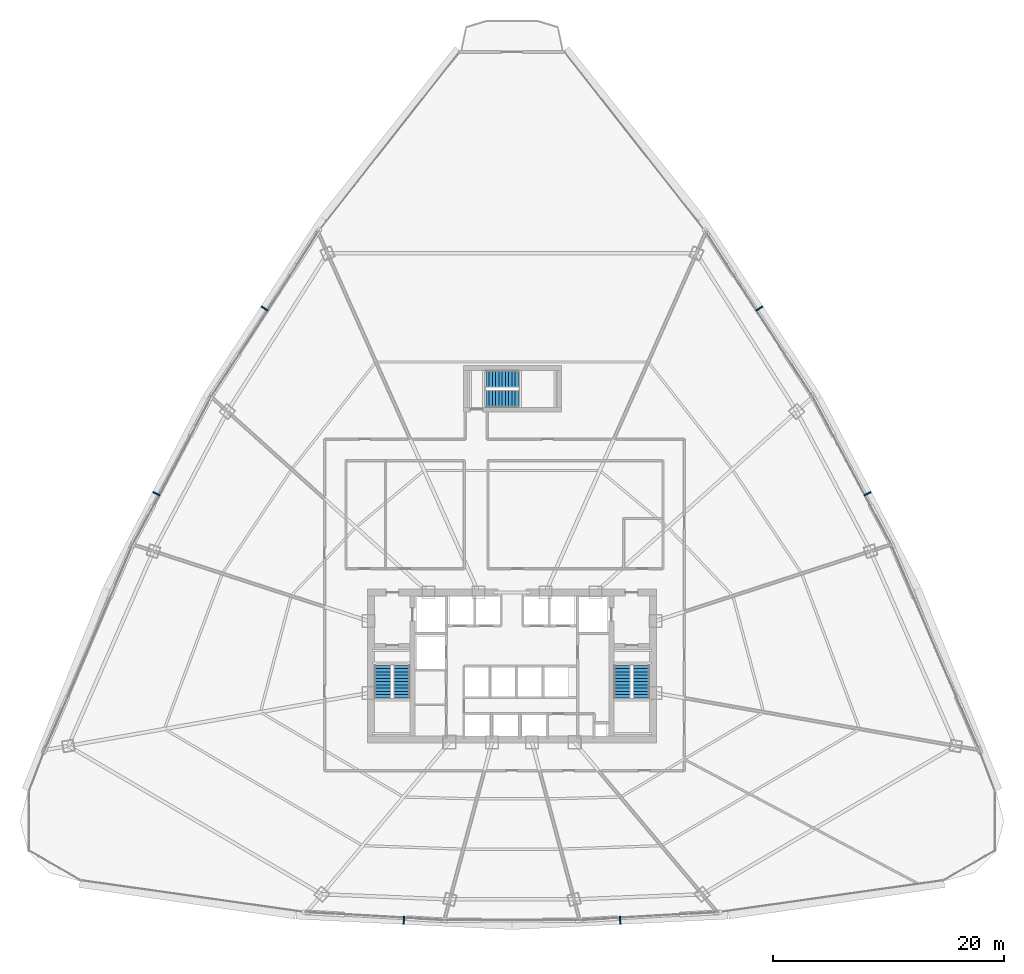
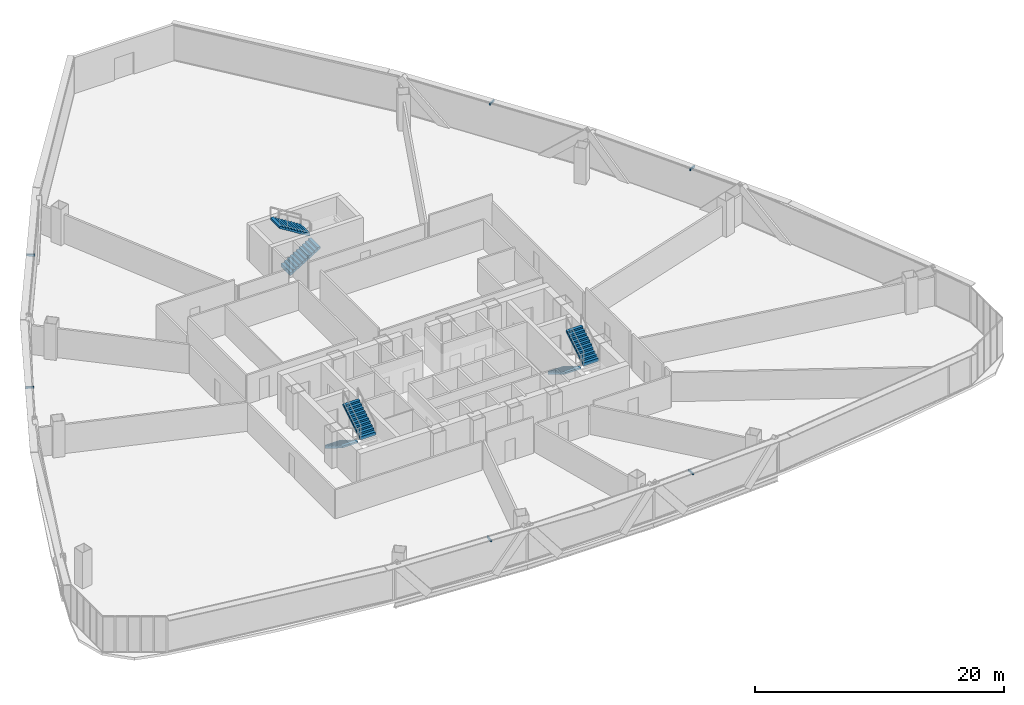
# One storey, part 35 of 39: 6 discrete accessories, 6 stair flights, 3 elements without a shape of their own.
"""IFC4 building model written with IfcOpenShell, lengths in metres."""

from ifc_helpers import new_model, si_unit, direction, frame, origin, origin_2d, place, context, subcontext, project, spatial, polyline, rectangle, outline, extrude, source, transform, mapped, material, type_object, element, aggregate, save


model = new_model("IFC4")

# Units and contexts
model_context = context("Model", 3, precision=1e-05, world=origin(), true_north=direction((0.0, 1.0)))
body_context = subcontext(model_context, "Body", "Model", "MODEL_VIEW")
ifc_project = project(units=[si_unit("LENGTHUNIT", "METRE"), si_unit("AREAUNIT", "SQUARE_METRE"), si_unit("VOLUMEUNIT", "CUBIC_METRE"), si_unit("PLANEANGLEUNIT", "RADIAN"), si_unit("MASSUNIT", "GRAM", prefix="KILO"), si_unit("THERMODYNAMICTEMPERATUREUNIT", "KELVIN"), si_unit("POWERUNIT", "WATT")], contexts=[model_context])

# Site, building, storey
site_placement = place(None, origin())
site = spatial("IfcSite", under=ifc_project, at=site_placement, CompositionType="ELEMENT")
building_placement = place(site_placement, origin())
building = spatial("IfcBuilding", under=site, at=building_placement, Name="Yunzhuo Pagoda Commons", CompositionType="ELEMENT")
storey_placement = place(building_placement, frame((0.0, 0.0, 92.580078125)))
storey = spatial("IfcBuildingStorey", under=building, at=storey_placement, Name="L23", CompositionType="ELEMENT", Elevation=92.580078125)

# Stair, stair flights
ifc_material_1 = material(Name="Concrete C40", Category="concrete")
stair_type_1 = type_object("IfcStairType", Name="ST-C1 Core Smokeproof Stair ST1", PredefinedType="HALF_TURN_STAIR", material=ifc_material_1)
stair_1_placement = place(storey_placement, origin())
stair_1 = element("IfcStair", 1, at=stair_1_placement, inside=storey, type_object=stair_type_1, Name="L23 Core smokeproof stair ST1", PredefinedType="HALF_TURN_STAIR")
stair_flight_type_1 = type_object("IfcStairFlightType", Name="STF-C1 Core Stair Flight 1450", PredefinedType="STRAIGHT", material=ifc_material_1)
shared_shape_1 = source(origin(), body_context, "Body", "SweptSolid", [
    extrude(outline(polyline([(0.0, -0.14990234375), (0.0, 0.0), (0.0, 0.172607421875), (0.280029296875, 0.172607421875), (0.280029296875, 0.345458984375), (0.56005859375, 0.345458984375), (0.56005859375, 0.51806640625), (0.840087890625, 0.51806640625), (0.840087890625, 0.69091796875), (1.1201171875, 0.69091796875), (1.1201171875, 0.863525390625), (1.39990234375, 0.863525390625), (1.39990234375, 1.036376953125), (1.679931640625, 1.036376953125), (1.679931640625, 1.208984375), (1.9599609375, 1.208984375), (1.9599609375, 1.3818359375), (2.239990234375, 1.3818359375), (2.239990234375, 1.554443359375), (2.52001953125, 1.554443359375), (2.52001953125, 1.727294921875), (2.800048828125, 1.727294921875), (2.800048828125, 1.89990234375), (2.800048828125, 1.551025390625), (0.285400390625, 0.0), (0.050048828125, -0.14990234375), (0.0, -0.14990234375)])), frame((0.0, 0.72509765625, 0.0), z_axis=(0.0, -1.0, 0.0), x_axis=(1.0, 0.0, 0.0)), (0.0, 0.0, 1.0), 1.449951171875),
])
stair_flight_1_placement = place(storey_placement, frame((36.824951171875, 33.89990234375, 0.0), z_axis=(0.0, 0.0, 1.0), x_axis=(0.0, -1.0, 0.0)))
stair_flight_1 = element("IfcStairFlight", 2, at=stair_flight_1_placement, type_object=stair_flight_type_1, Name="ST1 flight 1", NumberOfRisers=11, NumberOfTreads=10, PredefinedType="STRAIGHT", RiserHeight=0.172727273, TreadLength=0.28, context=body_context, shape_type="MappedRepresentation", body=[
    mapped(shared_shape_1, transform((0.0, 0.0, 0.0), scale=1.0)),
])
stair_flight_2_placement = place(storey_placement, frame((38.47509765625, 31.10009765625, 1.89990234375), z_axis=(0.0, 0.0, 1.0), x_axis=(0.0, 1.0, 0.0)))
stair_flight_2 = element("IfcStairFlight", 3, at=stair_flight_2_placement, type_object=stair_flight_type_1, Name="ST1 flight 2", NumberOfRisers=11, NumberOfTreads=10, PredefinedType="STRAIGHT", RiserHeight=0.172727273, TreadLength=0.28, context=body_context, shape_type="MappedRepresentation", body=[
    mapped(shared_shape_1, transform((0.0, 0.0, 0.0), scale=1.0)),
])
aggregate(stair_1, [stair_flight_1, stair_flight_2])

stair_type_2 = type_object("IfcStairType", Name="ST-C2 Core Smokeproof Stair ST2", PredefinedType="HALF_TURN_STAIR", material=ifc_material_1)
stair_2_placement = place(storey_placement, origin())
stair_2 = element("IfcStair", 4, at=stair_2_placement, inside=storey, type_object=stair_type_2, Name="L23 Core smokeproof stair ST2", PredefinedType="HALF_TURN_STAIR")
stair_flight_type_2 = type_object("IfcStairFlightType", Name="STF-C2 Core Stair Flight 1460", PredefinedType="STRAIGHT", material=ifc_material_1)
stair_flight_3_placement = place(storey_placement, frame((57.52490234375, 33.89990234375, 0.0), z_axis=(0.0, 0.0, 1.0), x_axis=(0.0, -1.0, 0.0)))
stair_flight_3 = element("IfcStairFlight", 5, at=stair_flight_3_placement, type_object=stair_flight_type_2, Name="ST2 flight 1", NumberOfRisers=11, NumberOfTreads=10, PredefinedType="STRAIGHT", RiserHeight=0.172727273, TreadLength=0.28, context=body_context, shape_type="MappedRepresentation", body=[
    mapped(shared_shape_1, transform((0.0, 0.0, 0.0), scale=1.0)),
])
stair_flight_4_placement = place(storey_placement, frame((59.175048828125, 31.10009765625, 1.89990234375), z_axis=(0.0, 0.0, 1.0), x_axis=(0.0, 1.0, 0.0)))
stair_flight_4 = element("IfcStairFlight", 6, at=stair_flight_4_placement, type_object=stair_flight_type_2, Name="ST2 flight 2", NumberOfRisers=11, NumberOfTreads=10, PredefinedType="STRAIGHT", RiserHeight=0.172727273, TreadLength=0.28, context=body_context, shape_type="MappedRepresentation", body=[
    mapped(shared_shape_1, transform((0.0, 0.0, 0.0), scale=1.0)),
])
aggregate(stair_2, [stair_flight_3, stair_flight_4])

stair_type_3 = type_object("IfcStairType", Name="ST-C3 North Tower Smokeproof Stair ST3", PredefinedType="HALF_TURN_STAIR", material=ifc_material_1)
stair_3_placement = place(storey_placement, origin())
stair_3 = element("IfcStair", 7, at=stair_3_placement, inside=storey, type_object=stair_type_3, Name="L23 North tower smokeproof stair ST3", PredefinedType="HALF_TURN_STAIR")
stair_flight_type_3 = type_object("IfcStairFlightType", Name="STF-C3 North Stair Flight 1500", PredefinedType="STRAIGHT", material=ifc_material_1)
shared_shape_2 = source(origin(), body_context, "Body", "SweptSolid", [
    extrude(outline(polyline([(0.0, -0.14990234375), (0.0, 0.0), (0.0, 0.172607421875), (0.280029296875, 0.172607421875), (0.280029296875, 0.345458984375), (0.56005859375, 0.345458984375), (0.56005859375, 0.51806640625), (0.840087890625, 0.51806640625), (0.840087890625, 0.69091796875), (1.1201171875, 0.69091796875), (1.1201171875, 0.863525390625), (1.39990234375, 0.863525390625), (1.39990234375, 1.036376953125), (1.679931640625, 1.036376953125), (1.679931640625, 1.208984375), (1.9599609375, 1.208984375), (1.9599609375, 1.3818359375), (2.239990234375, 1.3818359375), (2.239990234375, 1.554443359375), (2.52001953125, 1.554443359375), (2.52001953125, 1.727294921875), (2.800048828125, 1.727294921875), (2.800048828125, 1.89990234375), (2.800048828125, 1.551025390625), (0.285400390625, 0.0), (0.050048828125, -0.14990234375), (0.0, -0.14990234375)])), frame((0.0, 0.75, 0.0), z_axis=(0.0, -1.0, 0.0), x_axis=(1.0, 0.0, 0.0)), (0.0, 0.0, 1.0), 1.5),
])
stair_flight_5_placement = place(storey_placement, frame((45.75, 56.949951171875, 0.0), z_axis=(0.0, 0.0, 1.0), x_axis=(1.0, 0.0, 0.0)))
stair_flight_5 = element("IfcStairFlight", 8, at=stair_flight_5_placement, type_object=stair_flight_type_3, Name="ST3 flight 1", NumberOfRisers=11, NumberOfTreads=10, PredefinedType="STRAIGHT", RiserHeight=0.172727273, TreadLength=0.28, context=body_context, shape_type="MappedRepresentation", body=[
    mapped(shared_shape_2, transform((0.0, 0.0, 0.0), scale=1.0)),
])
stair_flight_6_placement = place(storey_placement, frame((48.550048828125, 58.64990234375, 1.89990234375), z_axis=(0.0, 0.0, 1.0), x_axis=(-1.0, 0.0, 0.0)))
stair_flight_6 = element("IfcStairFlight", 9, at=stair_flight_6_placement, type_object=stair_flight_type_3, Name="ST3 flight 2", NumberOfRisers=11, NumberOfTreads=10, PredefinedType="STRAIGHT", RiserHeight=0.172727273, TreadLength=0.28, context=body_context, shape_type="MappedRepresentation", body=[
    mapped(shared_shape_2, transform((0.0, 0.0, 0.0), scale=1.0)),
])
aggregate(stair_3, [stair_flight_5, stair_flight_6])

# Discrete accessories
ifc_material_2 = material(Name="Anodized aluminium 6063-T6", Category="aluminium")
discrete_accessory_type = type_object("IfcDiscreteAccessoryType", Name="BK-SUN1 Sunshade Outrigger Bracket", PredefinedType="BRACKET", material=ifc_material_2)
shared_shape_3 = source(origin(), body_context, "Body", "SweptSolid", [
    extrude(rectangle(XDim=0.1201171875, YDim=0.679931640625, at=origin_2d()), origin(), (0.0, 0.0, 1.0), 0.179931640625),
])
for number, where, z_axis, x_axis, name in (
    (10, (38.650146484375, 11.87939453125, 3.330078125), (0.0, 0.0, 1.0), (0.998818043775, -0.04860571396, 0.0), "L23 sunshade outrigger bracket F1.2"),
    (11, (57.349853515625, 11.87939453125, 3.330078125), (0.0, 0.0, 1.0), (0.998818043775, 0.04860571396, 0.0), "L23 sunshade outrigger bracket F1.3"),
    (12, (78.73779296875, 48.7294921875, 3.330078125), (0.0, 0.0, 1.0), (-0.461206683033, 0.88729273384, 0.0), "L23 sunshade outrigger bracket F2.2"),
    (13, (69.3876953125, 64.7470703125, 3.330078125), (0.0, 0.0, 1.0), (-0.545838756973, 0.837890238269, 0.0), "L23 sunshade outrigger bracket F2.3"),
    (14, (26.6123046875, 64.7470703125, 3.330078125), (0.0, 0.0, 1.0), (-0.545838756973, -0.837890238269, 0.0), "L23 sunshade outrigger bracket F3.2"),
    (15, (17.26220703125, 48.7294921875, 3.330078125), (0.0, 0.0, 1.0), (-0.461206683033, -0.88729273384, 0.0), "L23 sunshade outrigger bracket F3.3"),
):
    element("IfcDiscreteAccessory", number, at=place(storey_placement, frame(where, z_axis=z_axis, x_axis=x_axis)), inside=storey, type_object=discrete_accessory_type, Name=name, PredefinedType="BRACKET", context=body_context, shape_type="MappedRepresentation", body=[
        mapped(shared_shape_3, transform((0.0, 0.0, 0.0), scale=1.0)),
    ])

save(model, "model.ifc")
